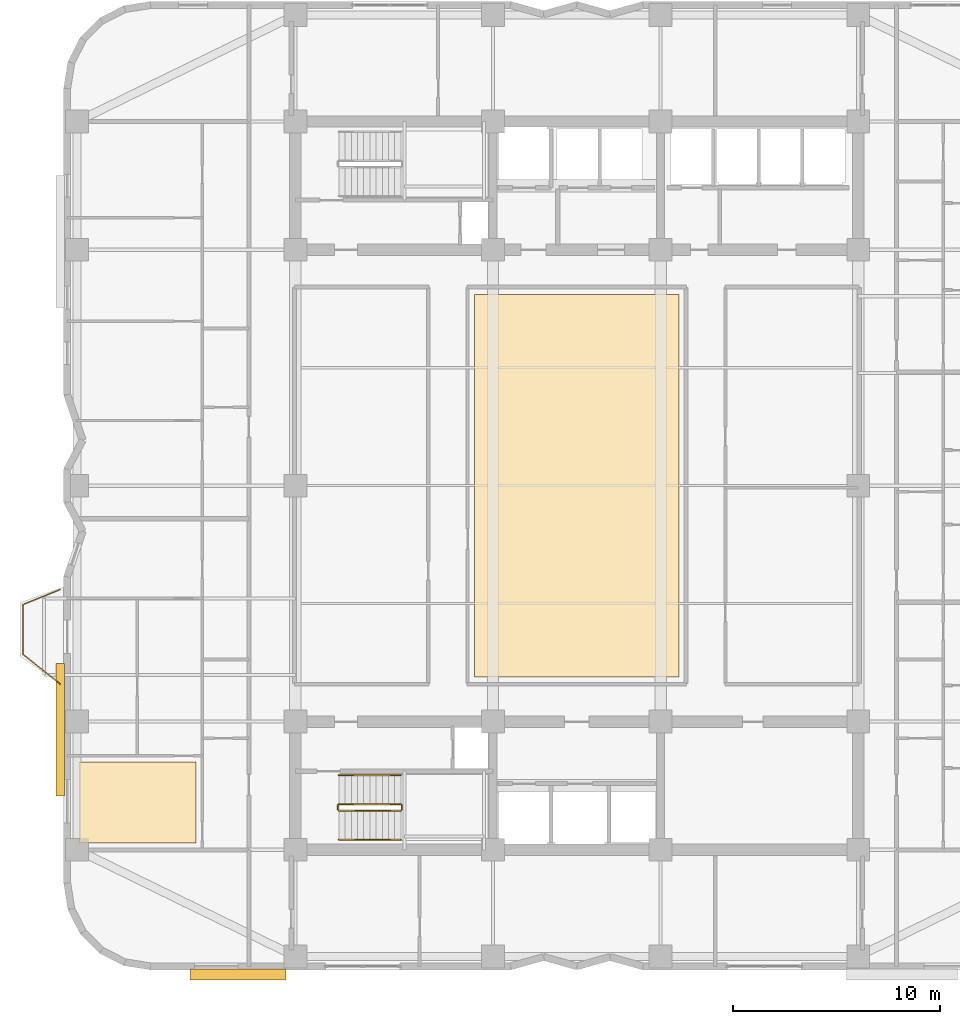
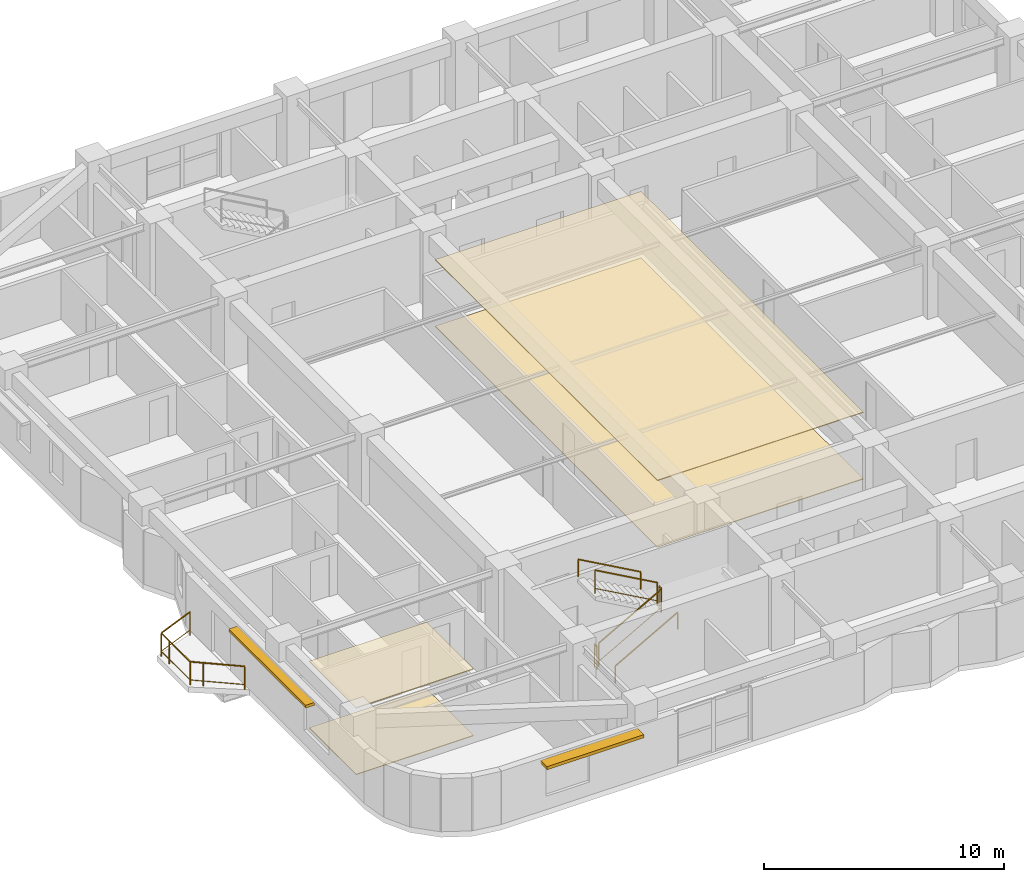
# One storey, part 13 of 15: 7 railings, 4 coverings, 2 shading devices.
"""IFC4 building model written with IfcOpenShell, lengths in metres."""

from ifc_helpers import new_model, si_unit, direction, frame, origin, origin_2d, place, context, subcontext, project, spatial, polyline, rectangle, outline, extrude, material, layer, layer_set, type_object, element, save


model = new_model("IFC4")

# Units and contexts
model_context = context("Model", 3, precision=1e-05, world=origin(), true_north=direction((0.0, 1.0)))
body_context = subcontext(model_context, "Body", "Model", "MODEL_VIEW")
ifc_project = project(units=[si_unit("LENGTHUNIT", "METRE"), si_unit("AREAUNIT", "SQUARE_METRE"), si_unit("VOLUMEUNIT", "CUBIC_METRE"), si_unit("PLANEANGLEUNIT", "RADIAN"), si_unit("MASSUNIT", "GRAM", prefix="KILO")], contexts=[model_context])

# Site, building, storey
site_placement = place(None, origin())
site = spatial("IfcSite", under=ifc_project, at=site_placement, CompositionType="ELEMENT")
building_placement = place(site_placement, origin())
building = spatial("IfcBuilding", under=site, at=building_placement, Name="Svetorya Sky Lyceum", CompositionType="ELEMENT")
storey_placement = place(building_placement, frame((0.0, 0.0, 117.89990234375)))
storey = spatial("IfcBuildingStorey", under=building, at=storey_placement, Name="L29", CompositionType="ELEMENT", Elevation=117.89990234375)

# Coverings
ifc_material_1 = material(Name="Anodized aluminium linear acoustic ceiling baffle", Category="aluminium")
ifc_layer_1 = layer(ifc_material_1, 0.0400390625)
ifc_layer_set_1 = layer_set([ifc_layer_1], Name="Anodized aluminium linear acoustic ceiling baffle")
covering_type_1 = type_object("IfcCoveringType", Name="COV-CLG-BAF40", PredefinedType="CEILING", material=ifc_layer_set_1)
covering_1_placement = place(storey_placement, frame((0.0, 0.0, 3.380126953125)))
element("IfcCovering", 1, at=covering_1_placement, inside=storey, type_object=covering_type_1, Name="Wellness Hall L29 Island Acoustic Ceiling", PredefinedType="CEILING", context=body_context, shape_type="SweptSolid", body=[
    extrude(outline(polyline([(34.25, 18.949951171875), (44.14990234375, 18.949951171875), (44.14990234375, 37.449951171875), (34.25, 37.449951171875), (34.25, 18.949951171875)])), origin(), (0.0, 0.0, 1.0), 0.0400390625),
])
covering_2_placement = place(storey_placement, frame((0.0, 0.0, 3.380126953125)))
element("IfcCovering", 2, at=covering_2_placement, inside=storey, type_object=covering_type_1, Name="Apartment W1 Living Room Acoustic Ceiling", PredefinedType="CEILING", context=body_context, shape_type="SweptSolid", body=[
    extrude(outline(polyline([(15.142578125, 10.929931640625), (20.7900390625, 10.929931640625), (20.7900390625, 14.840087890625), (15.142578125, 14.840087890625), (15.142578125, 10.929931640625)])), origin(), (0.0, 0.0, 1.0), 0.0400390625),
])
ifc_material_2 = material(Name="Flamed granite slip-resistant lobby flooring", Category="masonry")
ifc_layer_2 = layer(ifc_material_2, 0.034912109375)
ifc_layer_set_2 = layer_set([ifc_layer_2], Name="Flamed granite slip-resistant lobby flooring")
covering_type_2 = type_object("IfcCoveringType", Name="COV-FLR-GRN", PredefinedType="FLOORING", material=ifc_layer_set_2)
covering_3_placement = place(storey_placement, origin())
element("IfcCovering", 3, at=covering_3_placement, inside=storey, type_object=covering_type_2, Name="Wellness Hall L29 Island Architectural Flooring", PredefinedType="FLOORING", context=body_context, shape_type="SweptSolid", body=[
    extrude(outline(polyline([(34.25, 18.949951171875), (44.14990234375, 18.949951171875), (44.14990234375, 37.449951171875), (34.25, 37.449951171875), (34.25, 18.949951171875)])), origin(), (0.0, 0.0, 1.0), 0.03515625),
])
covering_4_placement = place(storey_placement, origin())
element("IfcCovering", 4, at=covering_4_placement, inside=storey, type_object=covering_type_2, Name="Apartment W1 Living Room Architectural Flooring", PredefinedType="FLOORING", context=body_context, shape_type="SweptSolid", body=[
    extrude(outline(polyline([(15.142578125, 10.929931640625), (20.7900390625, 10.929931640625), (20.7900390625, 14.840087890625), (15.142578125, 14.840087890625), (15.142578125, 10.929931640625)])), origin(), (0.0, 0.0, 1.0), 0.03515625),
])

# Railings
ifc_material_3 = material(Name="Laminated safety glass and stainless AISI 316", Category="glass")
railing_type_1 = type_object("IfcRailingType", Name="RL-BAL-1200", PredefinedType="BALUSTRADE", material=ifc_material_3)
railing_1_placement = place(storey_placement, frame((14.22998046875, 18.6201171875, 0.0)))
element("IfcRailing", 5, at=railing_1_placement, inside=storey, type_object=railing_type_1, Name="L29 Balcony Balustrade BAL-W1", PredefinedType="BALUSTRADE", context=body_context, shape_type="SweptSolid", body=[
    extrude(rectangle(XDim=0.048095703125, YDim=0.048095703125, at=origin_2d()), frame((0.0, 0.0, 1.17578125), z_axis=(-0.783008919264, 0.622010476079, 0.0), x_axis=(-0.622010476079, -0.783008919264, 0.0)), (0.0, 0.0, 1.0), 2.298828125),
    extrude(rectangle(XDim=0.02392578125, YDim=0.02392578125, at=origin_2d()), frame((0.0, 0.0, 0.25), z_axis=(-0.783008919264, 0.622010476079, 0.0), x_axis=(-0.622010476079, -0.783008919264, 0.0)), (0.0, 0.0, 1.0), 2.298828125),
    extrude(rectangle(XDim=0.048095703125, YDim=0.048095703125, at=origin_2d()), frame((-1.800048828125, 1.429931640625, 1.17578125), z_axis=(0.0, 1.0, 0.0), x_axis=(-1.0, 0.0, 0.0)), (0.0, 0.0, 1.0), 2.39990234375),
    extrude(rectangle(XDim=0.02392578125, YDim=0.02392578125, at=origin_2d()), frame((-1.800048828125, 1.429931640625, 0.25), z_axis=(0.0, 1.0, 0.0), x_axis=(-1.0, 0.0, 0.0)), (0.0, 0.0, 1.0), 2.39990234375),
    extrude(rectangle(XDim=0.048095703125, YDim=0.048095703125, at=origin_2d()), frame((-1.800048828125, 3.829833984375, 1.17578125), z_axis=(0.926697865975, 0.375807218129, 0.0), x_axis=(-0.375807218129, 0.926697865975, 0.0)), (0.0, 0.0, 1.0), 1.9423828125),
    extrude(rectangle(XDim=0.02392578125, YDim=0.02392578125, at=origin_2d()), frame((-1.800048828125, 3.829833984375, 0.25), z_axis=(0.926697865975, 0.375807218129, 0.0), x_axis=(-0.375807218129, 0.926697865975, 0.0)), (0.0, 0.0, 1.0), 1.9423828125),
    extrude(rectangle(XDim=0.0419921875, YDim=0.0419921875, at=origin_2d()), origin(), (0.0, 0.0, 1.0), 1.15185546875),
    extrude(rectangle(XDim=0.0419921875, YDim=0.0419921875, at=origin_2d()), frame((-1.370361328125, 1.088623046875, 0.0)), (0.0, 0.0, 1.0), 1.15185546875),
    extrude(rectangle(XDim=0.0419921875, YDim=0.0419921875, at=origin_2d()), frame((-1.800048828125, 1.429931640625, 0.0)), (0.0, 0.0, 1.0), 1.15185546875),
    extrude(rectangle(XDim=0.0419921875, YDim=0.0419921875, at=origin_2d()), frame((-1.800048828125, 3.179931640625, 0.0)), (0.0, 0.0, 1.0), 1.15185546875),
    extrude(rectangle(XDim=0.0419921875, YDim=0.0419921875, at=origin_2d()), frame((-1.800048828125, 3.829833984375, 0.0)), (0.0, 0.0, 1.0), 1.15185546875),
    extrude(rectangle(XDim=0.0419921875, YDim=0.0419921875, at=origin_2d()), frame((0.0, 4.559814453125, 0.0)), (0.0, 0.0, 1.0), 1.15185546875),
])
ifc_material_4 = material(Name="Painted galvanized stair well guard")
railing_type_2 = type_object("IfcRailingType", Name="RL-STR-GUARD-1200", PredefinedType="GUARDRAIL", material=ifc_material_4)
railing_2_placement = place(storey_placement, frame((27.699951171875, 12.5, 0.168212890625)))
element("IfcRailing", 6, at=railing_2_placement, inside=storey, type_object=railing_type_2, Name="L29 ST-S stair guard 1", PredefinedType="GUARDRAIL", context=body_context, shape_type="SweptSolid", body=[
    extrude(rectangle(XDim=0.048095703125, YDim=0.048095703125, at=origin_2d()), frame((0.0, 0.0, 1.17578125), z_axis=(0.872272294576, 0.0, 0.489020494575), x_axis=(0.0, 1.0, 0.0)), (0.0, 0.0, 1.0), 3.439208984375),
    extrude(rectangle(XDim=0.02392578125, YDim=0.02392578125, at=origin_2d()), frame((0.0, 0.0, 0.25), z_axis=(0.872272294576, 0.0, 0.489020494575), x_axis=(0.0, 1.0, 0.0)), (0.0, 0.0, 1.0), 3.439208984375),
    extrude(rectangle(XDim=0.0419921875, YDim=0.0419921875, at=origin_2d()), origin(), (0.0, 0.0, 1.0), 1.15185546875),
    extrude(rectangle(XDim=0.0419921875, YDim=0.0419921875, at=origin_2d()), frame((3.0, 0.0, 1.681884765625)), (0.0, 0.0, 1.0), 1.15185546875),
])
railing_3_placement = place(storey_placement, frame((30.75, 12.550048828125, 1.85009765625)))
element("IfcRailing", 7, at=railing_3_placement, inside=storey, type_object=railing_type_2, Name="L29 ST-S stair guard 2", PredefinedType="GUARDRAIL", context=body_context, shape_type="SweptSolid", body=[
    extrude(rectangle(XDim=0.048095703125, YDim=0.048095703125, at=origin_2d()), frame((0.0, 0.0, 1.17578125), z_axis=(0.0, 1.0, 0.0), x_axis=(-1.0, 0.0, 0.0)), (0.0, 0.0, 1.0), 0.199951171875),
    extrude(rectangle(XDim=0.02392578125, YDim=0.02392578125, at=origin_2d()), frame((0.0, 0.0, 0.25), z_axis=(0.0, 1.0, 0.0), x_axis=(-1.0, 0.0, 0.0)), (0.0, 0.0, 1.0), 0.199951171875),
    extrude(rectangle(XDim=0.0419921875, YDim=0.0419921875, at=origin_2d()), origin(), (0.0, 0.0, 1.0), 1.15185546875),
    extrude(rectangle(XDim=0.0419921875, YDim=0.0419921875, at=origin_2d()), frame((0.0, 0.199951171875, 0.0)), (0.0, 0.0, 1.0), 1.15185546875),
])
railing_4_placement = place(storey_placement, frame((30.699951171875, 12.800048828125, 2.018310546875)))
element("IfcRailing", 8, at=railing_4_placement, inside=storey, type_object=railing_type_2, Name="L29 ST-S stair guard 3", PredefinedType="GUARDRAIL", context=body_context, shape_type="SweptSolid", body=[
    extrude(rectangle(XDim=0.048095703125, YDim=0.048095703125, at=origin_2d()), frame((0.0, 0.0, 1.17578125), z_axis=(-0.872272294576, 0.0, 0.489020494575), x_axis=(0.0, -1.0, 0.0)), (0.0, 0.0, 1.0), 3.439208984375),
    extrude(rectangle(XDim=0.02392578125, YDim=0.02392578125, at=origin_2d()), frame((0.0, 0.0, 0.25), z_axis=(-0.872272294576, 0.0, 0.489020494575), x_axis=(0.0, -1.0, 0.0)), (0.0, 0.0, 1.0), 3.439208984375),
    extrude(rectangle(XDim=0.0419921875, YDim=0.0419921875, at=origin_2d()), origin(), (0.0, 0.0, 1.0), 1.15185546875),
    extrude(rectangle(XDim=0.0419921875, YDim=0.0419921875, at=origin_2d()), frame((-3.0, 0.0, 1.681884765625)), (0.0, 0.0, 1.0), 1.15185546875),
])
railing_5_placement = place(storey_placement, frame((27.64990234375, 12.550048828125, 0.0)))
element("IfcRailing", 9, at=railing_5_placement, inside=storey, type_object=railing_type_2, Name="L29 ST-S stair guard 4", PredefinedType="GUARDRAIL", context=body_context, shape_type="SweptSolid", body=[
    extrude(rectangle(XDim=0.048095703125, YDim=0.048095703125, at=origin_2d()), frame((0.0, 0.0, 1.17578125), z_axis=(0.0, 1.0, 0.0), x_axis=(-1.0, 0.0, 0.0)), (0.0, 0.0, 1.0), 0.199951171875),
    extrude(rectangle(XDim=0.02392578125, YDim=0.02392578125, at=origin_2d()), frame((0.0, 0.0, 0.25), z_axis=(0.0, 1.0, 0.0), x_axis=(-1.0, 0.0, 0.0)), (0.0, 0.0, 1.0), 0.199951171875),
    extrude(rectangle(XDim=0.0419921875, YDim=0.0419921875, at=origin_2d()), origin(), (0.0, 0.0, 1.0), 1.15185546875),
    extrude(rectangle(XDim=0.0419921875, YDim=0.0419921875, at=origin_2d()), frame((0.0, 0.199951171875, 0.0)), (0.0, 0.0, 1.0), 1.15185546875),
])
ifc_material_5 = material(Name="Brushed stainless AISI 304 stair handrail")
railing_type_3 = type_object("IfcRailingType", Name="RL-STR-HAND-920", PredefinedType="HANDRAIL", material=ifc_material_5)
railing_6_placement = place(storey_placement, frame((27.699951171875, 11.10009765625, 0.168212890625)))
element("IfcRailing", 10, at=railing_6_placement, inside=storey, type_object=railing_type_3, Name="L29 ST-S stair handrail 1", PredefinedType="HANDRAIL", context=body_context, shape_type="SweptSolid", body=[
    extrude(rectangle(XDim=0.048095703125, YDim=0.048095703125, at=origin_2d()), frame((0.0, 0.0, 0.8759765625), z_axis=(0.872272294576, 0.0, 0.489020494575), x_axis=(0.0, 1.0, 0.0)), (0.0, 0.0, 1.0), 3.439208984375),
    extrude(rectangle(XDim=0.0419921875, YDim=0.0419921875, at=origin_2d()), origin(), (0.0, 0.0, 1.0), 0.851806640625),
    extrude(rectangle(XDim=0.0419921875, YDim=0.0419921875, at=origin_2d()), frame((3.0, 0.0, 1.681884765625)), (0.0, 0.0, 1.0), 0.851806640625),
])
railing_7_placement = place(storey_placement, frame((30.699951171875, 14.199951171875, 2.018310546875)))
element("IfcRailing", 11, at=railing_7_placement, inside=storey, type_object=railing_type_3, Name="L29 ST-S stair handrail 2", PredefinedType="HANDRAIL", context=body_context, shape_type="SweptSolid", body=[
    extrude(rectangle(XDim=0.048095703125, YDim=0.048095703125, at=origin_2d()), frame((0.0, 0.0, 0.8759765625), z_axis=(-0.872272294576, 0.0, 0.489020494575), x_axis=(0.0, -1.0, 0.0)), (0.0, 0.0, 1.0), 3.439208984375),
    extrude(rectangle(XDim=0.0419921875, YDim=0.0419921875, at=origin_2d()), origin(), (0.0, 0.0, 1.0), 0.851806640625),
    extrude(rectangle(XDim=0.0419921875, YDim=0.0419921875, at=origin_2d()), frame((-3.0, 0.0, 1.681884765625)), (0.0, 0.0, 1.0), 0.851806640625),
])

# Shading devices
ifc_material_6 = material(Name="Champagne-anodized extruded aluminium solar fin", Category="aluminium")
ifc_layer_3 = layer(ifc_material_6, 0.139892578125)
ifc_layer_set_3 = layer_set([ifc_layer_3], Name="Champagne-anodized extruded aluminium solar fin")
shading_device_type_1 = type_object("IfcShadingDeviceType", Name="SHD-FIN-420", PredefinedType="JALOUSIE", material=ifc_layer_set_3)
shading_device_1_placement = place(storey_placement, frame((14.239990234375, 16.39990234375, 2.41015625), z_axis=(0.0, 0.0, 1.0), x_axis=(1.0, 0.0, 0.0)))
element("IfcShadingDevice", 12, at=shading_device_1_placement, inside=storey, type_object=shading_device_type_1, Name="L29 Solar Brise-Soleil SHD-2.46M", PredefinedType="JALOUSIE", context=body_context, shape_type="SweptSolid", body=[
    extrude(rectangle(XDim=0.419921875, YDim=6.39990234375, at=origin_2d()), origin(), (0.0, 0.0, 1.0), 0.139892578125),
])
ifc_material_7 = material(Name="Champagne-anodized extruded aluminium sunshade", Category="aluminium")
ifc_layer_4 = layer(ifc_material_7, 0.159912109375)
ifc_layer_set_4 = layer_set([ifc_layer_4], Name="Champagne-anodized extruded aluminium sunshade")
shading_device_type_2 = type_object("IfcShadingDeviceType", Name="SHD-LVR-540", PredefinedType="AWNING", material=ifc_layer_set_4)
shading_device_2_placement = place(storey_placement, frame((22.824951171875, 4.580078125, 2.39990234375), z_axis=(0.0, 0.0, 1.0), x_axis=(1.0, 0.0, 0.0)))
element("IfcShadingDevice", 13, at=shading_device_2_placement, inside=storey, type_object=shading_device_type_2, Name="L29 Solar Brise-Soleil SHD-1.6A", PredefinedType="AWNING", context=body_context, shape_type="SweptSolid", body=[
    extrude(rectangle(XDim=4.64697265625, YDim=0.5400390625, at=origin_2d()), origin(), (0.0, 0.0, 1.0), 0.159912109375),
])

save(model, "model.ifc")
